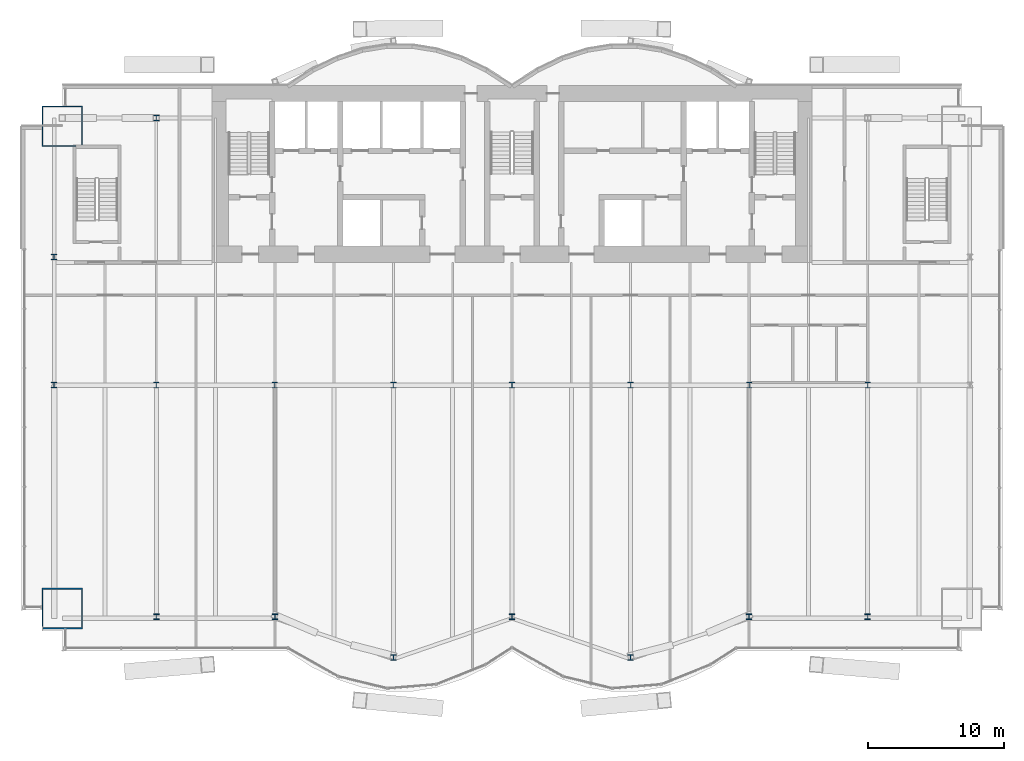
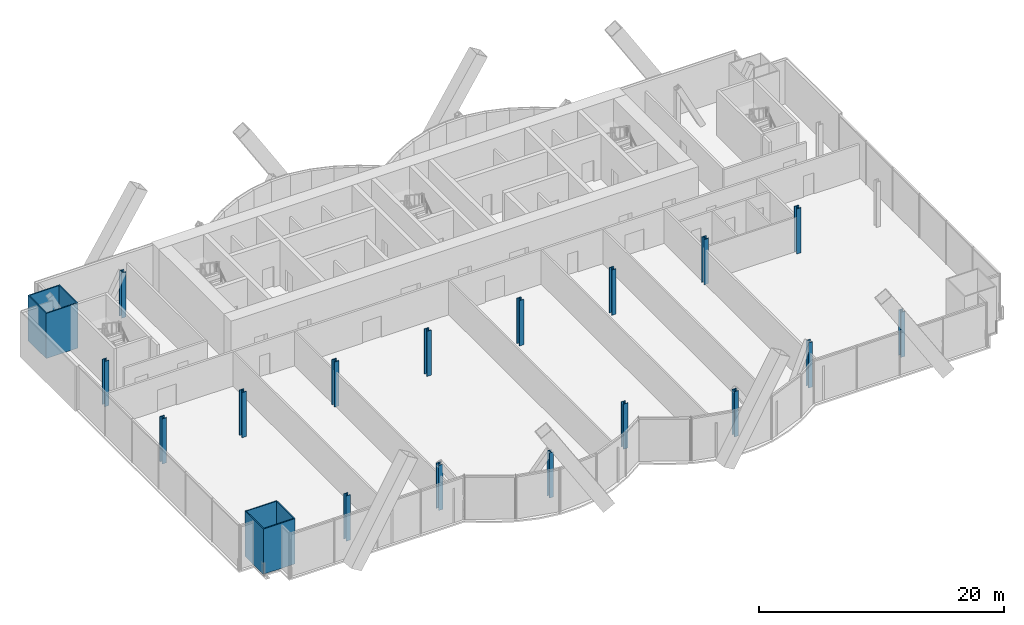
# One storey, part 1 of 23: 19 columns.
"""IFC4 building model written with IfcOpenShell, lengths in metres."""

from ifc_helpers import new_model, si_unit, direction, frame, origin, origin_2d, place, context, subcontext, project, spatial, hollow_rectangle, i_section, extrude, material, material_profile, profile_set, type_object, element, save


model = new_model("IFC4")

# Units and contexts
model_context = context("Model", 3, precision=1e-05, world=origin(), true_north=direction((0.0, 1.0)))
body_context = subcontext(model_context, "Body", "Model", "MODEL_VIEW")
ifc_project = project(units=[si_unit("LENGTHUNIT", "METRE"), si_unit("AREAUNIT", "SQUARE_METRE"), si_unit("VOLUMEUNIT", "CUBIC_METRE"), si_unit("PLANEANGLEUNIT", "RADIAN"), si_unit("MASSUNIT", "GRAM", prefix="KILO")], contexts=[model_context])

# Site, building, storey
site_placement = place(None, origin())
site = spatial("IfcSite", under=ifc_project, at=site_placement, CompositionType="ELEMENT")
building_placement = place(site_placement, origin())
building = spatial("IfcBuilding", under=site, at=building_placement, Name="Bicima Exchange Tower", CompositionType="ELEMENT")
storey_placement = place(building_placement, frame((0.0, 0.0, 44.0)))
storey = spatial("IfcBuildingStorey", under=building, at=storey_placement, Name="L08", CompositionType="ELEMENT", Elevation=44.0)

# Columns
ifc_material_1 = material(Name="Steel ASTM A992 Gr 50", Category="steel")
ifc_material_profile_1 = material_profile(ifc_material_1, i_section(OverallWidth=0.419189453125, OverallDepth=0.45458984375, WebThickness=0.042236328125, FlangeThickness=0.067626953125, at=origin_2d()))
ifc_profile_set_1 = profile_set([ifc_material_profile_1], Name="Steel ASTM A992 Gr 50")
column_type_1 = type_object("IfcColumnType", Name="Interior column W14x370", PredefinedType="COLUMN", material=ifc_profile_set_1)
for number, where, z_axis, x_axis, name in (
    (1, (-26.10009765625, -22.0, 0.0), (0.0, 0.0, 1.0), (1.0, 0.0, 0.0), "Interior column interior-26.1i"),
    (2, (-17.39990234375, -22.0, 0.0), (0.0, 0.0, 1.0), (1.0, 0.0, 0.0), "Interior column interior-17.4i"),
    (3, (-8.699951171875, -22.0, 0.0), (0.0, 0.0, 1.0), (1.0, 0.0, 0.0), "Interior column interior-8.7i"),
    (4, (0.0, -22.0, 0.0), (0.0, 0.0, 1.0), (1.0, 0.0, 0.0), "Interior column interior+0.0i"),
    (5, (8.699951171875, -22.0, 0.0), (0.0, 0.0, 1.0), (1.0, 0.0, 0.0), "Interior column interior+8.7i"),
    (6, (17.39990234375, -22.0, 0.0), (0.0, 0.0, 1.0), (1.0, 0.0, 0.0), "Interior column interior+17.4i"),
    (7, (26.10009765625, -22.0, 0.0), (0.0, 0.0, 1.0), (1.0, 0.0, 0.0), "Interior column interior+26.1i"),
):
    element("IfcColumn", number, at=place(storey_placement, frame(where, z_axis=z_axis, x_axis=x_axis)), inside=storey, type_object=column_type_1, Name=name, PredefinedType="COLUMN", context=body_context, shape_type="SweptSolid", body=[
        extrude(i_section(OverallWidth=0.419189453125, OverallDepth=0.45458984375, WebThickness=0.042236328125, FlangeThickness=0.067626953125, at=origin_2d()), origin(), (0.0, 0.0, 1.0), 4.5),
    ])
ifc_material_2 = material(Name="Steel ASTM A572 Gr 50", Category="steel")
ifc_material_profile_2 = material_profile(ifc_material_2, hollow_rectangle(XDim=3.0, YDim=3.0, WallThickness=0.10009765625, at=origin_2d()))
ifc_profile_set_2 = profile_set([ifc_material_profile_2], Name="Steel ASTM A572 Gr 50")
column_type_2 = type_object("IfcColumnType", Name="Mega column BOX 3000x3000x100", PredefinedType="COLUMN", material=ifc_profile_set_2)
for number, where, z_axis, x_axis, name in (
    (8, (-33.0, -38.389892578125, 0.0), (0.0, 0.0, 1.0), (1.0, 0.0, 0.0), "Mega column mega-33.0f"),
    (9, (-33.0, -3.0, 0.0), (0.0, 0.0, 1.0), (1.0, 0.0, 0.0), "Mega column mega-33.0r"),
):
    element("IfcColumn", number, at=place(storey_placement, frame(where, z_axis=z_axis, x_axis=x_axis)), inside=storey, type_object=column_type_2, Name=name, PredefinedType="COLUMN", context=body_context, shape_type="SweptSolid", body=[
        extrude(hollow_rectangle(XDim=3.0, YDim=3.0, WallThickness=0.10009765625, at=origin_2d()), origin(), (0.0, 0.0, 1.0), 4.5),
    ])
ifc_material_profile_3 = material_profile(ifc_material_1, i_section(OverallWidth=0.406494140625, OverallDepth=0.41650390625, WebThickness=0.030029296875, FlangeThickness=0.048095703125, at=origin_2d()))
ifc_profile_set_3 = profile_set([ifc_material_profile_3], Name="Steel ASTM A992 Gr 50")
column_type_3 = type_object("IfcColumnType", Name="Perimeter column W14x257", PredefinedType="COLUMN", material=ifc_profile_set_3)
for number, where, z_axis, x_axis, name in (
    (10, (-26.10009765625, -38.989990234375, 0.0), (0.0, 0.0, 1.0), (1.0, 0.0, 0.0), "Perimeter column grav-26.1f"),
    (11, (-26.10009765625, -2.39990234375, 0.0), (0.0, 0.0, 1.0), (1.0, 0.0, 0.0), "Perimeter column grav-26.1r"),
    (12, (-17.39990234375, -38.989990234375, 0.0), (0.0, 0.0, 1.0), (1.0, 0.0, 0.0), "Perimeter column grav-17.4f"),
    (13, (-8.699951171875, -41.981201171875, 0.0), (0.0, 0.0, 1.0), (1.0, 0.0, 0.0), "Perimeter column grav-8.7f"),
    (14, (0.0, -38.989990234375, 0.0), (0.0, 0.0, 1.0), (1.0, 0.0, 0.0), "Perimeter column grav-0.0f"),
    (15, (8.699951171875, -41.981201171875, 0.0), (0.0, 0.0, 1.0), (1.0, 0.0, 0.0), "Perimeter column grav+8.7f"),
    (16, (17.39990234375, -38.989990234375, 0.0), (0.0, 0.0, 1.0), (1.0, 0.0, 0.0), "Perimeter column grav+17.4f"),
    (17, (26.10009765625, -38.989990234375, 0.0), (0.0, 0.0, 1.0), (1.0, 0.0, 0.0), "Perimeter column grav+26.1f"),
    (18, (-33.60009765625, -12.60009765625, 0.0), (0.0, 0.0, 1.0), (1.0, 0.0, 0.0), "End column end-33.6e"),
    (19, (-33.60009765625, -22.0, 0.0), (0.0, 0.0, 1.0), (1.0, 0.0, 0.0), "End column end-33.6e"),
):
    element("IfcColumn", number, at=place(storey_placement, frame(where, z_axis=z_axis, x_axis=x_axis)), inside=storey, type_object=column_type_3, Name=name, PredefinedType="COLUMN", context=body_context, shape_type="SweptSolid", body=[
        extrude(i_section(OverallWidth=0.406494140625, OverallDepth=0.41650390625, WebThickness=0.030029296875, FlangeThickness=0.048095703125, at=origin_2d()), origin(), (0.0, 0.0, 1.0), 4.5),
    ])

save(model, "model.ifc")
